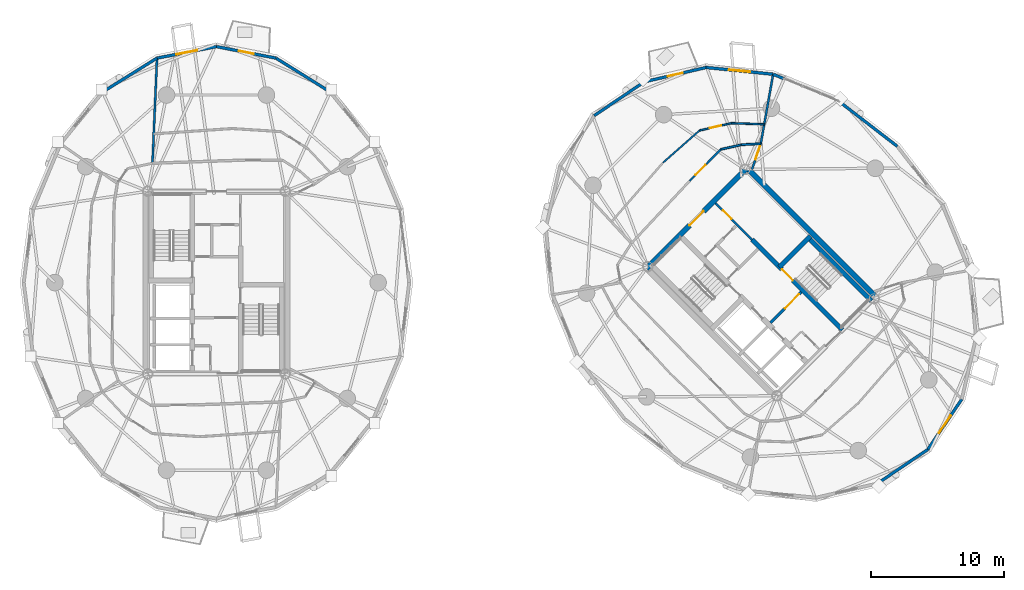
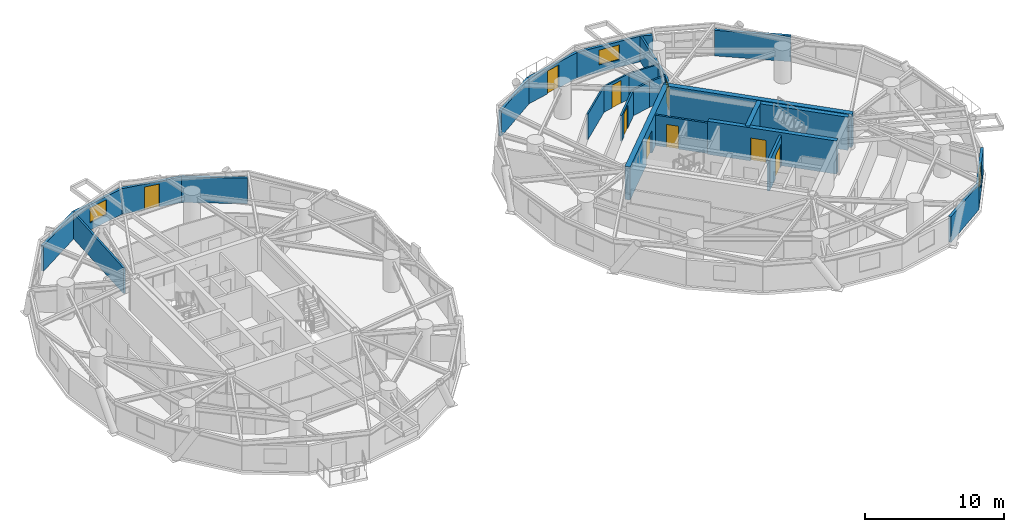
# One storey, part 15 of 19: 27 walls, 9 doors, 3 windows, 12 openings.
"""IFC4 building model written with IfcOpenShell, lengths in metres."""

from ifc_helpers import new_model, si_unit, direction, frame, frame_2d, origin, place, context, subcontext, project, spatial, rectangle, extrude, source, transform, mapped, material, layer, layer_set, type_object, element, fill, save


model = new_model("IFC4")

# Units and contexts
model_context = context("Model", 3, precision=1e-05, world=origin(), true_north=direction((0.0, 1.0)))
body_context = subcontext(model_context, "Body", "Model", "MODEL_VIEW")
ifc_project = project(units=[si_unit("LENGTHUNIT", "METRE"), si_unit("AREAUNIT", "SQUARE_METRE"), si_unit("VOLUMEUNIT", "CUBIC_METRE"), si_unit("PLANEANGLEUNIT", "RADIAN"), si_unit("MASSUNIT", "GRAM", prefix="KILO")], contexts=[model_context])

# Site, building, storey
site_placement = place(None, origin())
site = spatial("IfcSite", under=ifc_project, at=site_placement, CompositionType="ELEMENT")
building_placement = place(site_placement, origin())
building = spatial("IfcBuilding", under=site, at=building_placement, Name="Cununo Teusaquillo Station Towers", CompositionType="ELEMENT")
storey_placement = place(building_placement, frame((0.0, 0.0, 160.330078125)))
storey = spatial("IfcBuildingStorey", under=building, at=storey_placement, Name="L50", CompositionType="ELEMENT", Elevation=160.330078125)

# Wall, opening, door
ifc_material_1 = material(Name="Concrete C50/60", Category="concrete")
ifc_layer_1 = layer(ifc_material_1, 0.35009765625)
ifc_layer_set_1 = layer_set([ifc_layer_1], Name="Concrete C50/60")
wall_type_1 = type_object("IfcWallType", Name="WL-CORE-350", PredefinedType="SHEAR", material=ifc_layer_set_1)
wall_1_placement = place(storey_placement, frame((63.627197265625, 20.939697265625, 0.0), z_axis=(0.0, 0.0, 1.0), x_axis=(-0.707119496762, 0.707094065383, 0.0)))
wall_1 = element("IfcWall", 1, at=wall_1_placement, inside=storey, type_object=wall_type_1, Name="L50 Tower B Core Shear Wall IE", PredefinedType="SHEAR", context=body_context, shape_type="SweptSolid", body=[
    extrude(rectangle(XDim=9.60009765625, YDim=0.35009765625, at=frame_2d((4.800048828125, 0.0))), origin(), (0.0, 0.0, 1.0), 2.909912109375),
])
shared_shape_1 = source(origin(), body_context, "Body", "SweptSolid", [
    extrude(rectangle(XDim=1.14990234375, YDim=2.02001953125, at=frame_2d((0.574951171875, 1.010009765625))), frame((0.0, 0.18505859375, 0.0), z_axis=(0.0, -1.0, 0.0), x_axis=(1.0, 0.0, 0.0)), (0.0, 0.0, 1.0), 0.3701171875),
])
opening_1_placement = place(wall_1_placement, frame((5.280029296875, 0.0, 0.0)))
opening_1 = element("IfcOpeningElement", 2, at=opening_1_placement, cuts=wall_1, Name="Opening D-ST1", PredefinedType="OPENING", context=body_context, shape_type="MappedRepresentation", body=[
    mapped(shared_shape_1, transform((0.0, 0.0, 0.0), x_axis=(1.0, 0.0, 0.0), y_axis=(0.0, 1.0, 0.0), z_axis=(0.0, 0.0, 1.0), scale=1.0)),
])
ifc_material_2 = material(Name="Galvanised fire-rated hollow steel door assembly", Category="steel")
door_type_1 = type_object("IfcDoorType", Name="DR-STAIR-1150", OperationType="NOTDEFINED", PredefinedType="DOOR", material=ifc_material_2)
shared_shape_2 = source(origin(), body_context, "Body", "SweptSolid", [
    extrude(rectangle(XDim=1.14990234375, YDim=2.02001953125, at=frame_2d((0.574951171875, 1.010009765625))), frame((0.0, 0.02490234375, 0.0), z_axis=(0.0, -1.0, 0.0), x_axis=(1.0, 0.0, 0.0)), (0.0, 0.0, 1.0), 0.050048828125),
])
door_1_placement = place(opening_1_placement, origin())
door_1 = element("IfcDoor", 3, at=door_1_placement, inside=storey, type_object=door_type_1, Name="L50 Tower B Exit Stair 2 Fire Door", OperationType="SINGLE_SWING_RIGHT", OverallHeight=2.02001953125, OverallWidth=1.14990234375, PredefinedType="DOOR", context=body_context, shape_type="MappedRepresentation", body=[
    mapped(shared_shape_2, transform((0.0, 0.0, 0.0), x_axis=(1.0, 0.0, 0.0), y_axis=(0.0, 1.0, 0.0), z_axis=(0.0, 0.0, 1.0), scale=1.0)),
])
fill(opening_1, door_1)

# Walls
wall_2_placement = place(storey_placement, frame((65.81201171875, 23.124755859375, 0.0), z_axis=(0.0, 0.0, 1.0), x_axis=(-0.707106781187, 0.707106781187, 0.0)))
element("IfcWall", 4, at=wall_2_placement, inside=storey, type_object=wall_type_1, Name="L50 Tower B Core Shear Wall ST2E", PredefinedType="SHEAR", context=body_context, shape_type="SweptSolid", body=[
    extrude(rectangle(XDim=6.695068359375, YDim=0.35009765625, at=frame_2d((3.34765625, 0.0))), origin(), (0.0, 0.0, 1.0), 2.909912109375),
])
wall_3_placement = place(storey_placement, frame((58.89306640625, 25.673828125, 0.0), z_axis=(0.0, 0.0, 1.0), x_axis=(0.707106781187, 0.707106781187, 0.0)))
element("IfcWall", 5, at=wall_3_placement, inside=storey, type_object=wall_type_1, Name="L50 Tower B Core Shear Wall ST2N", PredefinedType="SHEAR", context=body_context, shape_type="SweptSolid", body=[
    extrude(rectangle(XDim=3.284912109375, YDim=0.35009765625, at=frame_2d((1.642578125, 0.0))), origin(), (0.0, 0.0, 1.0), 2.909912109375),
])
ifc_material_3 = material(Name="Concrete C50/60", Category="concrete")
ifc_layer_2 = layer(ifc_material_3, 0.39990234375)
ifc_layer_set_2 = layer_set([ifc_layer_2], Name="Concrete C50/60")
wall_type_2 = type_object("IfcWallType", Name="WL-CORE-400", PredefinedType="SHEAR", material=ifc_layer_set_2)
wall_4_placement = place(storey_placement, frame((66.26806640625, 23.2978515625, 0.0), z_axis=(0.0, 0.0, 1.0), x_axis=(-0.707106781187, 0.707106781187, 0.0)))
element("IfcWall", 6, at=wall_4_placement, inside=storey, type_object=wall_type_2, Name="L50 Tower B Core Shear Wall E", PredefinedType="SHEAR", context=body_context, shape_type="SweptSolid", body=[
    extrude(rectangle(XDim=14.10009765625, YDim=0.39990234375, at=frame_2d((7.050048828125, 0.0))), origin(), (0.0, 0.0, 1.0), 2.909912109375),
])

# Wall, opening, door
wall_5_placement = place(storey_placement, frame((48.873291015625, 25.560791015625, 0.0), z_axis=(0.0, 0.0, 1.0), x_axis=(0.707106781187, 0.707106781187, 0.0)))
wall_5 = element("IfcWall", 7, at=wall_5_placement, inside=storey, type_object=wall_type_2, Name="L50 Tower B Core Shear Wall N", PredefinedType="SHEAR", context=body_context, shape_type="SweptSolid", body=[
    extrude(rectangle(XDim=10.69970703125, YDim=0.39990234375, at=frame_2d((5.349853515625, 0.0))), origin(), (0.0, 0.0, 1.0), 2.909912109375),
])
shared_shape_3 = source(origin(), body_context, "Body", "SweptSolid", [
    extrude(rectangle(XDim=1.5, YDim=2.02001953125, at=frame_2d((0.75, 1.010009765625))), frame((0.0, 0.2099609375, 0.0), z_axis=(0.0, -1.0, 0.0), x_axis=(1.0, 0.0, 0.0)), (0.0, 0.0, 1.0), 0.419921875),
])
opening_2_placement = place(wall_5_placement, frame((4.60009765625, 0.0, 0.0)))
opening_2 = element("IfcOpeningElement", 8, at=opening_2_placement, cuts=wall_5, Name="Opening D-LB1", PredefinedType="OPENING", context=body_context, shape_type="MappedRepresentation", body=[
    mapped(shared_shape_3, transform((0.0, 0.0, 0.0), x_axis=(1.0, 0.0, 0.0), y_axis=(0.0, 1.0, 0.0), z_axis=(0.0, 0.0, 1.0), scale=1.0)),
])
ifc_material_4 = material(Name="Galvanised fire-rated hollow steel door assembly", Category="steel")
door_type_2 = type_object("IfcDoorType", Name="DR-LOBBY-1500", OperationType="DOUBLE_DOOR_SINGLE_SWING", PredefinedType="DOOR", material=ifc_material_4)
shared_shape_4 = source(origin(), body_context, "Body", "SweptSolid", [
    extrude(rectangle(XDim=1.5, YDim=2.02001953125, at=frame_2d((0.75, 1.010009765625))), frame((0.0, 0.02490234375, 0.0), z_axis=(0.0, -1.0, 0.0), x_axis=(1.0, 0.0, 0.0)), (0.0, 0.0, 1.0), 0.050048828125),
])
door_2_placement = place(opening_2_placement, origin())
door_2 = element("IfcDoor", 9, at=door_2_placement, inside=storey, type_object=door_type_2, Name="L50 Tower B North Core Lift Lobby Door", OperationType="DOUBLE_DOOR_SINGLE_SWING", OverallHeight=2.02001953125, OverallWidth=1.5, PredefinedType="DOOR", context=body_context, shape_type="MappedRepresentation", body=[
    mapped(shared_shape_4, transform((0.0, 0.0, 0.0), x_axis=(1.0, 0.0, 0.0), y_axis=(0.0, 1.0, 0.0), z_axis=(0.0, 0.0, 1.0), scale=1.0)),
])
fill(opening_2, door_2)

# Wall
ifc_material_5 = material(Name="Precast concrete C40/50", Category="concrete")
ifc_layer_3 = layer(ifc_material_5, 0.219970703125)
ifc_layer_set_3 = layer_set([ifc_layer_3], Name="Precast concrete C40/50")
wall_type_3 = type_object("IfcWallType", Name="WL-EXT-220", PredefinedType="SOLIDWALL", material=ifc_layer_set_3)
wall_6_placement = place(storey_placement, frame((20.9853515625, 41.400390625, 0.0), z_axis=(0.0, 0.0, 1.0), x_axis=(0.848452391194, -0.529271707044, 0.0)))
element("IfcWall", 10, at=wall_6_placement, inside=storey, type_object=wall_type_3, Name="L50 Tower A Exterior Facade Wall C03", PredefinedType="SOLIDWALL", context=body_context, shape_type="SweptSolid", body=[
    extrude(rectangle(XDim=4.76904296875, YDim=0.219970703125, at=frame_2d((2.384521484375, 0.0))), origin(), (0.0, 0.0, 1.0), 2.244873046875),
])

# Wall, opening, door
wall_7_placement = place(storey_placement, frame((16.5, 42.27001953125, 0.0), z_axis=(0.0, 0.0, 1.0), x_axis=(0.981718699963, -0.190337579429, 0.0)))
wall_7 = element("IfcWall", 11, at=wall_7_placement, inside=storey, type_object=wall_type_3, Name="L50 Tower A Exterior Facade Wall C04", PredefinedType="SOLIDWALL", context=body_context, shape_type="SweptSolid", body=[
    extrude(rectangle(XDim=4.56884765625, YDim=0.219970703125, at=frame_2d((2.284423828125, 0.0))), origin(), (0.0, 0.0, 1.0), 2.244873046875),
])
shared_shape_5 = source(origin(), body_context, "Body", "SweptSolid", [
    extrude(rectangle(XDim=1.14990234375, YDim=2.0048828125, at=frame_2d((0.574951171875, 1.00244140625))), frame((0.0, 0.119873046875, 0.0), z_axis=(0.0, -1.0, 0.0), x_axis=(1.0, 0.0, 0.0)), (0.0, 0.0, 1.0), 0.239990234375),
])
opening_3_placement = place(wall_7_placement, frame((1.708984375, 0.0, 0.0)))
opening_3 = element("IfcOpeningElement", 12, at=opening_3_placement, cuts=wall_7, Name="Opening ED-03", PredefinedType="OPENING", context=body_context, shape_type="MappedRepresentation", body=[
    mapped(shared_shape_5, transform((0.0, 0.0, 0.0), x_axis=(1.0, 0.0, 0.0), y_axis=(0.0, 1.0, 0.0), z_axis=(0.0, 0.0, 1.0), scale=1.0)),
])
ifc_material_6 = material(Name="Anodised dark bronze aluminium EN AW-6063-T6", Category="aluminium")
door_type_3 = type_object("IfcDoorType", Name="DR-EXT-BAL", OperationType="NOTDEFINED", PredefinedType="DOOR", material=ifc_material_6)
shared_shape_6 = source(origin(), body_context, "Body", "SweptSolid", [
    extrude(rectangle(XDim=1.14990234375, YDim=2.0048828125, at=frame_2d((0.574951171875, 1.00244140625))), frame((0.0, 0.02490234375, 0.0), z_axis=(0.0, -1.0, 0.0), x_axis=(1.0, 0.0, 0.0)), (0.0, 0.0, 1.0), 0.050048828125),
])
door_3_placement = place(opening_3_placement, origin())
door_3 = element("IfcDoor", 13, at=door_3_placement, inside=storey, type_object=door_type_3, Name="L50 Tower A Tree Balcony Door C04", OperationType="SINGLE_SWING_LEFT", OverallHeight=2.0048828125, OverallWidth=1.14990234375, PredefinedType="DOOR", context=body_context, shape_type="MappedRepresentation", body=[
    mapped(shared_shape_6, transform((0.0, 0.0, 0.0), x_axis=(1.0, 0.0, 0.0), y_axis=(0.0, 1.0, 0.0), z_axis=(0.0, 0.0, 1.0), scale=1.0)),
])
fill(opening_3, door_3)

# Wall, opening, window
wall_8_placement = place(storey_placement, frame((12.0146484375, 41.400390625, 0.0), z_axis=(0.0, 0.0, 1.0), x_axis=(0.981718699963, 0.190337579429, 0.0)))
wall_8 = element("IfcWall", 14, at=wall_8_placement, inside=storey, type_object=wall_type_3, Name="L50 Tower A Exterior Facade Wall C05", PredefinedType="SOLIDWALL", context=body_context, shape_type="SweptSolid", body=[
    extrude(rectangle(XDim=4.56884765625, YDim=0.219970703125, at=frame_2d((2.284423828125, 0.0))), origin(), (0.0, 0.0, 1.0), 2.244873046875),
])
shared_shape_7 = source(origin(), body_context, "Body", "SweptSolid", [
    extrude(rectangle(XDim=1.60009765625, YDim=1.300048828125, at=frame_2d((0.800048828125, 0.64990234375))), frame((0.0, 0.119873046875, 0.0), z_axis=(0.0, -1.0, 0.0), x_axis=(1.0, 0.0, 0.0)), (0.0, 0.0, 1.0), 0.239990234375),
])
opening_4_placement = place(wall_8_placement, frame((1.48388671875, 0.0, 0.64990234375)))
opening_4 = element("IfcOpeningElement", 15, at=opening_4_placement, cuts=wall_8, Name="Opening WN-03", PredefinedType="OPENING", context=body_context, shape_type="MappedRepresentation", body=[
    mapped(shared_shape_7, transform((0.0, 0.0, 0.0), x_axis=(1.0, 0.0, 0.0), y_axis=(0.0, 1.0, 0.0), z_axis=(0.0, 0.0, 1.0), scale=1.0)),
])
ifc_material_7 = material(Name="Ceramic-fritted dark low-E double glazing", Category="glass")
window_type = type_object("IfcWindowType", Name="WIN-CORN-1600", PartitioningType="SINGLE_PANEL", PredefinedType="WINDOW", material=ifc_material_7)
shared_shape_8 = source(origin(), body_context, "Body", "SweptSolid", [
    extrude(rectangle(XDim=1.60009765625, YDim=1.300048828125, at=frame_2d((0.800048828125, 0.64990234375))), frame((0.0, 0.030029296875, 0.0), z_axis=(0.0, -1.0, 0.0), x_axis=(1.0, 0.0, 0.0)), (0.0, 0.0, 1.0), 0.06005859375),
])
window_1_placement = place(opening_4_placement, origin())
window_1 = element("IfcWindow", 16, at=window_1_placement, inside=storey, type_object=window_type, Name="L50 Tower A Facade Window C05", OverallHeight=1.300048828125, OverallWidth=1.60009765625, PartitioningType="SINGLE_PANEL", PredefinedType="WINDOW", context=body_context, shape_type="MappedRepresentation", body=[
    mapped(shared_shape_8, transform((0.0, 0.0, 0.0), x_axis=(1.0, 0.0, 0.0), y_axis=(0.0, 1.0, 0.0), z_axis=(0.0, 0.0, 1.0), scale=1.0)),
])
fill(opening_4, window_1)

# Walls
wall_9_placement = place(storey_placement, frame((7.96826171875, 38.876220703125, 0.0), z_axis=(0.0, 0.0, 1.0), x_axis=(0.848452391194, 0.529271707044, 0.0)))
element("IfcWall", 17, at=wall_9_placement, inside=storey, type_object=wall_type_3, Name="L50 Tower A Exterior Facade Wall C06", PredefinedType="SOLIDWALL", context=body_context, shape_type="SweptSolid", body=[
    extrude(rectangle(XDim=4.76904296875, YDim=0.219970703125, at=frame_2d((2.384521484375, 0.0))), origin(), (0.0, 0.0, 1.0), 2.244873046875),
])
wall_10_placement = place(storey_placement, frame((63.37841796875, 38.144287109375, 0.0), z_axis=(0.0, 0.0, 1.0), x_axis=(0.791982658323, -0.610543584779, 0.0)))
element("IfcWall", 18, at=wall_10_placement, inside=storey, type_object=wall_type_3, Name="L50 Tower B Exterior Facade Wall C00", PredefinedType="SOLIDWALL", context=body_context, shape_type="SweptSolid", body=[
    extrude(rectangle(XDim=5.537109375, YDim=0.219970703125, at=frame_2d((2.7685546875, 0.0))), origin(), (0.0, 0.0, 1.0), 2.244873046875),
])
wall_11_placement = place(storey_placement, frame((58.417724609375, 40.189208984375, 0.0), z_axis=(0.0, 0.0, 1.0), x_axis=(0.924556017656, -0.381046152345, 0.0)))
element("IfcWall", 19, at=wall_11_placement, inside=storey, type_object=wall_type_3, Name="L50 Tower B Column Pier Cladding Wall C01-PA", PredefinedType="SOLIDWALL", context=body_context, shape_type="SweptSolid", body=[
    extrude(rectangle(XDim=0.8701171875, YDim=0.219970703125, at=frame_2d((0.43505859375, 0.0))), origin(), (0.0, 0.0, 1.0), 2.244873046875),
])

# Wall, opening, window
wall_12_placement = place(storey_placement, frame((53.3671875, 40.6982421875, 0.0), z_axis=(0.0, 0.0, 1.0), x_axis=(0.994959267396, -0.100279889424, 0.0)))
wall_12 = element("IfcWall", 20, at=wall_12_placement, inside=storey, type_object=wall_type_3, Name="L50 Tower B Exterior Facade Wall C02", PredefinedType="SOLIDWALL", context=body_context, shape_type="SweptSolid", body=[
    extrude(rectangle(XDim=5.076171875, YDim=0.219970703125, at=frame_2d((2.5380859375, 0.0))), origin(), (0.0, 0.0, 1.0), 2.244873046875),
])
opening_5_placement = place(wall_12_placement, frame((1.738037109375, 0.0, 0.64990234375)))
opening_5 = element("IfcOpeningElement", 21, at=opening_5_placement, cuts=wall_12, Name="Opening WN-03", PredefinedType="OPENING", context=body_context, shape_type="MappedRepresentation", body=[
    mapped(shared_shape_7, transform((0.0, 0.0, 0.0), x_axis=(1.0, 0.0, 0.0), y_axis=(0.0, 1.0, 0.0), z_axis=(0.0, 0.0, 1.0), scale=1.0)),
])
window_2_placement = place(opening_5_placement, origin())
window_2 = element("IfcWindow", 22, at=window_2_placement, inside=storey, type_object=window_type, Name="L50 Tower B Facade Window C02", OverallHeight=1.300048828125, OverallWidth=1.60009765625, PartitioningType="SINGLE_PANEL", PredefinedType="WINDOW", context=body_context, shape_type="MappedRepresentation", body=[
    mapped(shared_shape_8, transform((0.0, 0.0, 0.0), x_axis=(1.0, 0.0, 0.0), y_axis=(0.0, 1.0, 0.0), z_axis=(0.0, 0.0, 1.0), scale=1.0)),
])
fill(opening_5, window_2)

# Wall, opening, door
wall_13_placement = place(storey_placement, frame((48.72119140625, 39.6220703125, 0.0), z_axis=(0.0, 0.0, 1.0), x_axis=(0.974206226622, 0.225659540039, 0.0)))
wall_13 = element("IfcWall", 23, at=wall_13_placement, inside=storey, type_object=wall_type_3, Name="L50 Tower B Exterior Facade Wall C03", PredefinedType="SOLIDWALL", context=body_context, shape_type="SweptSolid", body=[
    extrude(rectangle(XDim=4.76904296875, YDim=0.219970703125, at=frame_2d((2.384521484375, 0.0))), origin(), (0.0, 0.0, 1.0), 2.244873046875),
])
opening_6_placement = place(wall_13_placement, frame((1.81005859375, 0.0, 0.0)))
opening_6 = element("IfcOpeningElement", 24, at=opening_6_placement, cuts=wall_13, Name="Opening ED-03", PredefinedType="OPENING", context=body_context, shape_type="MappedRepresentation", body=[
    mapped(shared_shape_5, transform((0.0, 0.0, 0.0), x_axis=(1.0, 0.0, 0.0), y_axis=(0.0, 1.0, 0.0), z_axis=(0.0, 0.0, 1.0), scale=1.0)),
])
door_4_placement = place(opening_6_placement, origin())
door_4 = element("IfcDoor", 25, at=door_4_placement, inside=storey, type_object=door_type_3, Name="L50 Tower B Tree Balcony Door C03", OperationType="SINGLE_SWING_LEFT", OverallHeight=2.0048828125, OverallWidth=1.14990234375, PredefinedType="DOOR", context=body_context, shape_type="MappedRepresentation", body=[
    mapped(shared_shape_6, transform((0.0, 0.0, 0.0), x_axis=(1.0, 0.0, 0.0), y_axis=(0.0, 1.0, 0.0), z_axis=(0.0, 0.0, 1.0), scale=1.0)),
])
fill(opening_6, door_4)

# Walls
for number, where, z_axis, x_axis, name in (
    (26, (44.934814453125, 37.065185546875, 0.0), (0.0, 0.0, 1.0), (0.828739009952, 0.559635286042, 0.0), "L50 Tower B Exterior Facade Wall C04"),
    (27, (70.065185546875, 11.934814453125, 0.0), (0.0, 0.0, 1.0), (-0.828739009952, -0.559635286042, 0.0), "L50 Tower B Exterior Facade Wall C14"),
):
    element("IfcWall", number, at=place(storey_placement, frame(where, z_axis=z_axis, x_axis=x_axis)), inside=storey, type_object=wall_type_3, Name=name, PredefinedType="SOLIDWALL", context=body_context, shape_type="SweptSolid", body=[
        extrude(rectangle(XDim=4.56884765625, YDim=0.219970703125, at=frame_2d((2.284423828125, 0.0))), origin(), (0.0, 0.0, 1.0), 2.244873046875),
    ])

# Wall, opening, window
wall_14_placement = place(storey_placement, frame((72.6220703125, 15.72119140625, 0.0), z_axis=(0.0, 0.0, 1.0), x_axis=(-0.559635286042, -0.828739009952, 0.0)))
wall_14 = element("IfcWall", 28, at=wall_14_placement, inside=storey, type_object=wall_type_3, Name="L50 Tower B Exterior Facade Wall C15", PredefinedType="SOLIDWALL", context=body_context, shape_type="SweptSolid", body=[
    extrude(rectangle(XDim=4.56884765625, YDim=0.219970703125, at=frame_2d((2.284423828125, 0.0))), origin(), (0.0, 0.0, 1.0), 2.244873046875),
])
opening_7_placement = place(wall_14_placement, frame((1.48388671875, 0.0, 0.64990234375)))
opening_7 = element("IfcOpeningElement", 29, at=opening_7_placement, cuts=wall_14, Name="Opening WN-03", PredefinedType="OPENING", context=body_context, shape_type="MappedRepresentation", body=[
    mapped(shared_shape_7, transform((0.0, 0.0, 0.0), x_axis=(1.0, 0.0, 0.0), y_axis=(0.0, 1.0, 0.0), z_axis=(0.0, 0.0, 1.0), scale=1.0)),
])
window_3_placement = place(opening_7_placement, origin())
window_3 = element("IfcWindow", 30, at=window_3_placement, inside=storey, type_object=window_type, Name="L50 Tower B Facade Window C15", OverallHeight=1.300048828125, OverallWidth=1.60009765625, PartitioningType="SINGLE_PANEL", PredefinedType="WINDOW", context=body_context, shape_type="MappedRepresentation", body=[
    mapped(shared_shape_8, transform((0.0, 0.0, 0.0), x_axis=(1.0, 0.0, 0.0), y_axis=(0.0, 1.0, 0.0), z_axis=(0.0, 0.0, 1.0), scale=1.0)),
])
fill(opening_7, window_3)

# Wall
ifc_material_8 = material(Name="Fire-rated gypsum plasterboard partition assembly", Category="gypsum")
ifc_layer_4 = layer(ifc_material_8, 0.125)
ifc_layer_set_4 = layer_set([ifc_layer_4], Name="Fire-rated gypsum plasterboard partition assembly")
wall_type_4 = type_object("IfcWallType", Name="WL-PART-125", PredefinedType="PARTITIONING", material=ifc_layer_set_4)
wall_15_placement = place(storey_placement, frame((57.746337890625, 36.4189453125, 0.0), z_axis=(0.0, 0.0, 1.0), x_axis=(-0.999409872703, 0.03434976484, 0.0)))
element("IfcWall", 31, at=wall_15_placement, inside=storey, type_object=wall_type_4, Name="L50 Tower B High-Zone Club Reading & Dining Hall Concentric Partition Wall C02", PredefinedType="PARTITIONING", context=body_context, shape_type="SweptSolid", body=[
    extrude(rectangle(XDim=2.46630859375, YDim=0.125, at=frame_2d((1.233154296875, 0.0))), origin(), (0.0, 0.0, 1.0), 2.244873046875),
])

# Wall, opening, door
wall_16_placement = place(storey_placement, frame((55.281494140625, 36.503662109375, 0.0), z_axis=(0.0, 0.0, 1.0), x_axis=(-0.974908832019, -0.222604513096, 0.0)))
wall_16 = element("IfcWall", 32, at=wall_16_placement, inside=storey, type_object=wall_type_4, Name="L50 Tower B High-Zone Club Reading & Dining Hall Concentric Partition Wall C03", PredefinedType="PARTITIONING", context=body_context, shape_type="SweptSolid", body=[
    extrude(rectangle(XDim=2.4677734375, YDim=0.125, at=frame_2d((1.23388671875, 0.0))), origin(), (0.0, 0.0, 1.0), 2.244873046875),
])
shared_shape_9 = source(origin(), body_context, "Body", "SweptSolid", [
    extrude(rectangle(XDim=0.89990234375, YDim=2.0048828125, at=frame_2d((0.449951171875, 1.00244140625))), frame((0.0, 0.072509765625, 0.0), z_axis=(0.0, -1.0, 0.0), x_axis=(1.0, 0.0, 0.0)), (0.0, 0.0, 1.0), 0.14501953125),
])
opening_8_placement = place(wall_16_placement, frame((0.783935546875, 0.0, 0.0)))
opening_8 = element("IfcOpeningElement", 33, at=opening_8_placement, cuts=wall_16, Name="Opening D-IN1", PredefinedType="OPENING", context=body_context, shape_type="MappedRepresentation", body=[
    mapped(shared_shape_9, transform((0.0, 0.0, 0.0), x_axis=(1.0, 0.0, 0.0), y_axis=(0.0, 1.0, 0.0), z_axis=(0.0, 0.0, 1.0), scale=1.0)),
])
ifc_material_9 = material(Name="Acoustic solid-core hardwood leaf assembly", Category="wood")
door_type_4 = type_object("IfcDoorType", Name="DR-INT-900", OperationType="NOTDEFINED", PredefinedType="DOOR", material=ifc_material_9)
shared_shape_10 = source(origin(), body_context, "Body", "SweptSolid", [
    extrude(rectangle(XDim=0.89990234375, YDim=2.0048828125, at=frame_2d((0.449951171875, 1.00244140625))), frame((0.0, 0.02490234375, 0.0), z_axis=(0.0, -1.0, 0.0), x_axis=(1.0, 0.0, 0.0)), (0.0, 0.0, 1.0), 0.050048828125),
])
door_5_placement = place(opening_8_placement, origin())
door_5 = element("IfcDoor", 34, at=door_5_placement, inside=storey, type_object=door_type_4, Name="L50 Tower B High-Zone Club Reading & Dining Hall Connecting Door", OperationType="SINGLE_SWING_LEFT", OverallHeight=2.0048828125, OverallWidth=0.89990234375, PredefinedType="DOOR", context=body_context, shape_type="MappedRepresentation", body=[
    mapped(shared_shape_10, transform((0.0, 0.0, 0.0), x_axis=(1.0, 0.0, 0.0), y_axis=(0.0, 1.0, 0.0), z_axis=(0.0, 0.0, 1.0), scale=1.0)),
])
fill(opening_8, door_5)

# Walls
wall_17_placement = place(storey_placement, frame((52.875732421875, 35.954345703125, 0.0), z_axis=(0.0, 0.0, 1.0), x_axis=(-0.750317340408, -0.661077823469, 0.0)))
element("IfcWall", 35, at=wall_17_placement, inside=storey, type_object=wall_type_4, Name="L50 Tower B High-Zone Club Reading & Dining Hall Concentric Partition Wall C04", PredefinedType="PARTITIONING", context=body_context, shape_type="SweptSolid", body=[
    extrude(rectangle(XDim=3.668701171875, YDim=0.125, at=frame_2d((1.83447265625, 0.0))), origin(), (0.0, 0.0, 1.0), 2.244873046875),
])
ifc_material_10 = material(Name="Fire-rated gypsum plasterboard partition assembly", Category="gypsum")
ifc_layer_5 = layer(ifc_material_10, 0.14990234375)
ifc_layer_set_5 = layer_set([ifc_layer_5], Name="Fire-rated gypsum plasterboard partition assembly")
wall_type_5 = type_object("IfcWallType", Name="WL-PART-150", PredefinedType="PARTITIONING", material=ifc_layer_set_5)
wall_18_placement = place(storey_placement, frame((57.486328125, 34.96044921875, 0.0), z_axis=(0.0, 0.0, 1.0), x_axis=(-0.998483871836, -0.055045051404, 0.0)))
element("IfcWall", 36, at=wall_18_placement, inside=storey, type_object=wall_type_5, Name="L50 Tower B Corridor Ring Wall C02", PredefinedType="PARTITIONING", context=body_context, shape_type="SweptSolid", body=[
    extrude(rectangle(XDim=1.463623046875, YDim=0.14990234375, at=frame_2d((0.73193359375, 0.0))), origin(), (0.0, 0.0, 1.0), 2.244873046875),
])
wall_19_placement = place(storey_placement, frame((56.02490234375, 34.8798828125, 0.0), z_axis=(0.0, 0.0, 1.0), x_axis=(-0.975729093394, -0.218981132301, 0.0)))
element("IfcWall", 37, at=wall_19_placement, inside=storey, type_object=wall_type_5, Name="L50 Tower B Corridor Ring Wall C03", PredefinedType="PARTITIONING", context=body_context, shape_type="SweptSolid", body=[
    extrude(rectangle(XDim=1.575439453125, YDim=0.14990234375, at=frame_2d((0.78759765625, 0.0))), origin(), (0.0, 0.0, 1.0), 2.244873046875),
])

# Wall, opening, door
wall_20_placement = place(storey_placement, frame((54.48779296875, 34.534912109375, 0.0), z_axis=(0.0, 0.0, 1.0), x_axis=(-0.703666289339, -0.710530613871, 0.0)))
wall_20 = element("IfcWall", 38, at=wall_20_placement, inside=storey, type_object=wall_type_5, Name="L50 Tower B Corridor Ring Wall C04", PredefinedType="PARTITIONING", context=body_context, shape_type="SweptSolid", body=[
    extrude(rectangle(XDim=3.34326171875, YDim=0.14990234375, at=frame_2d((1.671630859375, 0.0))), origin(), (0.0, 0.0, 1.0), 2.244873046875),
])
shared_shape_11 = source(origin(), body_context, "Body", "SweptSolid", [
    extrude(rectangle(XDim=1.050048828125, YDim=2.014892578125, at=frame_2d((0.52490234375, 1.00732421875))), frame((0.0, 0.0849609375, 0.0), z_axis=(0.0, -1.0, 0.0), x_axis=(1.0, 0.0, 0.0)), (0.0, 0.0, 1.0), 0.169921875),
])
opening_9_placement = place(wall_20_placement, frame((1.659912109375, 0.0, 0.0)))
opening_9 = element("IfcOpeningElement", 39, at=opening_9_placement, cuts=wall_20, Name="Opening D-SU1", PredefinedType="OPENING", context=body_context, shape_type="MappedRepresentation", body=[
    mapped(shared_shape_11, transform((0.0, 0.0, 0.0), x_axis=(1.0, 0.0, 0.0), y_axis=(0.0, 1.0, 0.0), z_axis=(0.0, 0.0, 1.0), scale=1.0)),
])
ifc_material_11 = material(Name="Acoustic solid-core hardwood leaf assembly", Category="wood")
door_type_5 = type_object("IfcDoorType", Name="DR-SUITE-1050", OperationType="NOTDEFINED", PredefinedType="DOOR", material=ifc_material_11)
shared_shape_12 = source(origin(), body_context, "Body", "SweptSolid", [
    extrude(rectangle(XDim=1.050048828125, YDim=2.014892578125, at=frame_2d((0.52490234375, 1.00732421875))), frame((0.0, 0.02490234375, 0.0), z_axis=(0.0, -1.0, 0.0), x_axis=(1.0, 0.0, 0.0)), (0.0, 0.0, 1.0), 0.050048828125),
])
door_6_placement = place(opening_9_placement, origin())
door_6 = element("IfcDoor", 40, at=door_6_placement, inside=storey, type_object=door_type_5, Name="L50 Tower B High-Zone Club Reading & Dining Hall Entrance Door", OperationType="SINGLE_SWING_RIGHT", OverallHeight=2.014892578125, OverallWidth=1.050048828125, PredefinedType="DOOR", context=body_context, shape_type="MappedRepresentation", body=[
    mapped(shared_shape_12, transform((0.0, 0.0, 0.0), x_axis=(1.0, 0.0, 0.0), y_axis=(0.0, 1.0, 0.0), z_axis=(0.0, 0.0, 1.0), scale=1.0)),
])
fill(opening_9, door_6)

# Wall
ifc_material_12 = material(Name="Fire-rated gypsum plasterboard partition assembly", Category="gypsum")
ifc_layer_6 = layer(ifc_material_12, 0.159912109375)
ifc_layer_set_6 = layer_set([ifc_layer_6], Name="Fire-rated gypsum plasterboard partition assembly")
wall_type_6 = type_object("IfcWallType", Name="WL-PART-160", PredefinedType="PARTITIONING", material=ifc_layer_set_6)
wall_21_placement = place(storey_placement, frame((11.680908203125, 33.489501953125, 0.0), z_axis=(0.0, 0.0, 1.0), x_axis=(0.043022772958, 0.999074091851, 0.0)))
element("IfcWall", 41, at=wall_21_placement, inside=storey, type_object=wall_type_6, Name="L50 Tower A Radial Suite Partition R02", PredefinedType="PARTITIONING", context=body_context, shape_type="SweptSolid", body=[
    extrude(rectangle(XDim=7.899169921875, YDim=0.159912109375, at=frame_2d((3.94970703125, 0.0))), origin(), (0.0, 0.0, 1.0), 2.244873046875),
])

# Wall, opening, door
wall_22_placement = place(storey_placement, frame((56.8388671875, 27.727783203125, 0.0), z_axis=(0.0, 0.0, 1.0), x_axis=(-0.707106781187, 0.707106781187, 0.0)))
wall_22 = element("IfcWall", 42, at=wall_22_placement, inside=storey, type_object=wall_type_6, Name="L50 Tower B Reclaimed Core Bay Entry Wall", PredefinedType="PARTITIONING", context=body_context, shape_type="SweptSolid", body=[
    extrude(rectangle(XDim=3.900146484375, YDim=0.159912109375, at=frame_2d((1.9501953125, 0.0))), origin(), (0.0, 0.0, 1.0), 2.6748046875),
])
shared_shape_13 = source(origin(), body_context, "Body", "SweptSolid", [
    extrude(rectangle(XDim=0.89990234375, YDim=2.0048828125, at=frame_2d((0.449951171875, 1.00244140625))), frame((0.0, 0.08984375, 0.0), z_axis=(0.0, -1.0, 0.0), x_axis=(1.0, 0.0, 0.0)), (0.0, 0.0, 1.0), 0.179931640625),
])
opening_10_placement = place(wall_22_placement, frame((2.199951171875, 0.0, 0.0)))
opening_10 = element("IfcOpeningElement", 43, at=opening_10_placement, cuts=wall_22, Name="Opening D-IN1", PredefinedType="OPENING", context=body_context, shape_type="MappedRepresentation", body=[
    mapped(shared_shape_13, transform((0.0, 0.0, 0.0), x_axis=(1.0, 0.0, 0.0), y_axis=(0.0, 1.0, 0.0), z_axis=(0.0, 0.0, 1.0), scale=1.0)),
])
door_7_placement = place(opening_10_placement, origin())
door_7 = element("IfcDoor", 44, at=door_7_placement, inside=storey, type_object=door_type_4, Name="L50 Tower B Reclaimed Core Lounge Door", OperationType="SINGLE_SWING_LEFT", OverallHeight=2.0048828125, OverallWidth=0.89990234375, PredefinedType="DOOR", context=body_context, shape_type="MappedRepresentation", body=[
    mapped(shared_shape_10, transform((0.0, 0.0, 0.0), x_axis=(1.0, 0.0, 0.0), y_axis=(0.0, 1.0, 0.0), z_axis=(0.0, 0.0, 1.0), scale=1.0)),
])
fill(opening_10, door_7)

# Wall
wall_23_placement = place(storey_placement, frame((57.486328125, 34.96044921875, 0.0), z_axis=(0.0, 0.0, 1.0), x_axis=(0.175432895983, 0.984491391027, 0.0)))
element("IfcWall", 45, at=wall_23_placement, inside=storey, type_object=wall_type_6, Name="L50 Tower B Radial Suite Partition R01", PredefinedType="PARTITIONING", context=body_context, shape_type="SweptSolid", body=[
    extrude(rectangle(XDim=5.291015625, YDim=0.159912109375, at=frame_2d((2.6455078125, 0.0))), origin(), (0.0, 0.0, 1.0), 2.244873046875),
])

# Wall, opening, door
wall_24_placement = place(storey_placement, frame((56.828125, 33.0205078125, 0.0), z_axis=(0.0, 0.0, 1.0), x_axis=(0.321300161671, 0.94697740528, 0.0)))
wall_24 = element("IfcWall", 46, at=wall_24_placement, inside=storey, type_object=wall_type_6, Name="L50 Tower B East Salon Corridor Portal Wall NE", PredefinedType="PARTITIONING", context=body_context, shape_type="SweptSolid", body=[
    extrude(rectangle(XDim=2.048583984375, YDim=0.159912109375, at=frame_2d((1.0244140625, 0.0))), origin(), (0.0, 0.0, 1.0), 2.244873046875),
])
shared_shape_14 = source(origin(), body_context, "Body", "SweptSolid", [
    extrude(rectangle(XDim=1.050048828125, YDim=2.014892578125, at=frame_2d((0.52490234375, 1.00732421875))), frame((0.0, 0.08984375, 0.0), z_axis=(0.0, -1.0, 0.0), x_axis=(1.0, 0.0, 0.0)), (0.0, 0.0, 1.0), 0.179931640625),
])
opening_11_placement = place(wall_24_placement, frame((0.79833984375, 0.0, 0.0)))
opening_11 = element("IfcOpeningElement", 47, at=opening_11_placement, cuts=wall_24, Name="Opening D-SU1", PredefinedType="OPENING", context=body_context, shape_type="MappedRepresentation", body=[
    mapped(shared_shape_14, transform((0.0, 0.0, 0.0), x_axis=(1.0, 0.0, 0.0), y_axis=(0.0, 1.0, 0.0), z_axis=(0.0, 0.0, 1.0), scale=1.0)),
])
door_8_placement = place(opening_11_placement, origin())
door_8 = element("IfcDoor", 48, at=door_8_placement, inside=storey, type_object=door_type_5, Name="L50 Tower B East Panorama Sky Salon Door NE", OperationType="SINGLE_SWING_RIGHT", OverallHeight=2.014892578125, OverallWidth=1.050048828125, PredefinedType="DOOR", context=body_context, shape_type="MappedRepresentation", body=[
    mapped(shared_shape_12, transform((0.0, 0.0, 0.0), x_axis=(1.0, 0.0, 0.0), y_axis=(0.0, 1.0, 0.0), z_axis=(0.0, 0.0, 1.0), scale=1.0)),
])
fill(opening_11, door_8)

ifc_material_13 = material(Name="Fire-rated gypsum plasterboard partition assembly", Category="gypsum")
ifc_layer_7 = layer(ifc_material_13, 0.199951171875)
ifc_layer_set_7 = layer_set([ifc_layer_7], Name="Fire-rated gypsum plasterboard partition assembly")
wall_type_7 = type_object("IfcWallType", Name="WL-PART-200", PredefinedType="PARTITIONING", material=ifc_layer_set_7)
wall_25_placement = place(storey_placement, frame((58.214111328125, 21.466552734375, 0.0), z_axis=(0.0, 0.0, 1.0), x_axis=(0.707106781187, 0.707106781187, 0.0)))
wall_25 = element("IfcWall", 49, at=wall_25_placement, inside=storey, type_object=wall_type_7, Name="L50 Tower B Firefighting Lift Lobby South Fire Wall", PredefinedType="PARTITIONING", context=body_context, shape_type="SweptSolid", body=[
    extrude(rectangle(XDim=3.280029296875, YDim=0.199951171875, at=frame_2d((1.64013671875, 0.0))), origin(), (0.0, 0.0, 1.0), 2.6748046875),
])
shared_shape_15 = source(origin(), body_context, "Body", "SweptSolid", [
    extrude(rectangle(XDim=1.5, YDim=2.02001953125, at=frame_2d((0.75, 1.010009765625))), frame((0.0, 0.10986328125, 0.0), z_axis=(0.0, -1.0, 0.0), x_axis=(1.0, 0.0, 0.0)), (0.0, 0.0, 1.0), 0.219970703125),
])
opening_12_placement = place(wall_25_placement, frame((1.550048828125, 0.0, 0.0)))
opening_12 = element("IfcOpeningElement", 50, at=opening_12_placement, cuts=wall_25, Name="Opening D-LB1", PredefinedType="OPENING", context=body_context, shape_type="MappedRepresentation", body=[
    mapped(shared_shape_15, transform((0.0, 0.0, 0.0), x_axis=(1.0, 0.0, 0.0), y_axis=(0.0, 1.0, 0.0), z_axis=(0.0, 0.0, 1.0), scale=1.0)),
])
door_9_placement = place(opening_12_placement, origin())
door_9 = element("IfcDoor", 51, at=door_9_placement, inside=storey, type_object=door_type_2, Name="L50 Tower B Firefighting Lift Lobby South Fire Door", OperationType="DOUBLE_DOOR_SINGLE_SWING", OverallHeight=2.02001953125, OverallWidth=1.5, PredefinedType="DOOR", context=body_context, shape_type="MappedRepresentation", body=[
    mapped(shared_shape_4, transform((0.0, 0.0, 0.0), x_axis=(1.0, 0.0, 0.0), y_axis=(0.0, 1.0, 0.0), z_axis=(0.0, 0.0, 1.0), scale=1.0)),
])
fill(opening_12, door_9)

save(model, "model.ifc")
